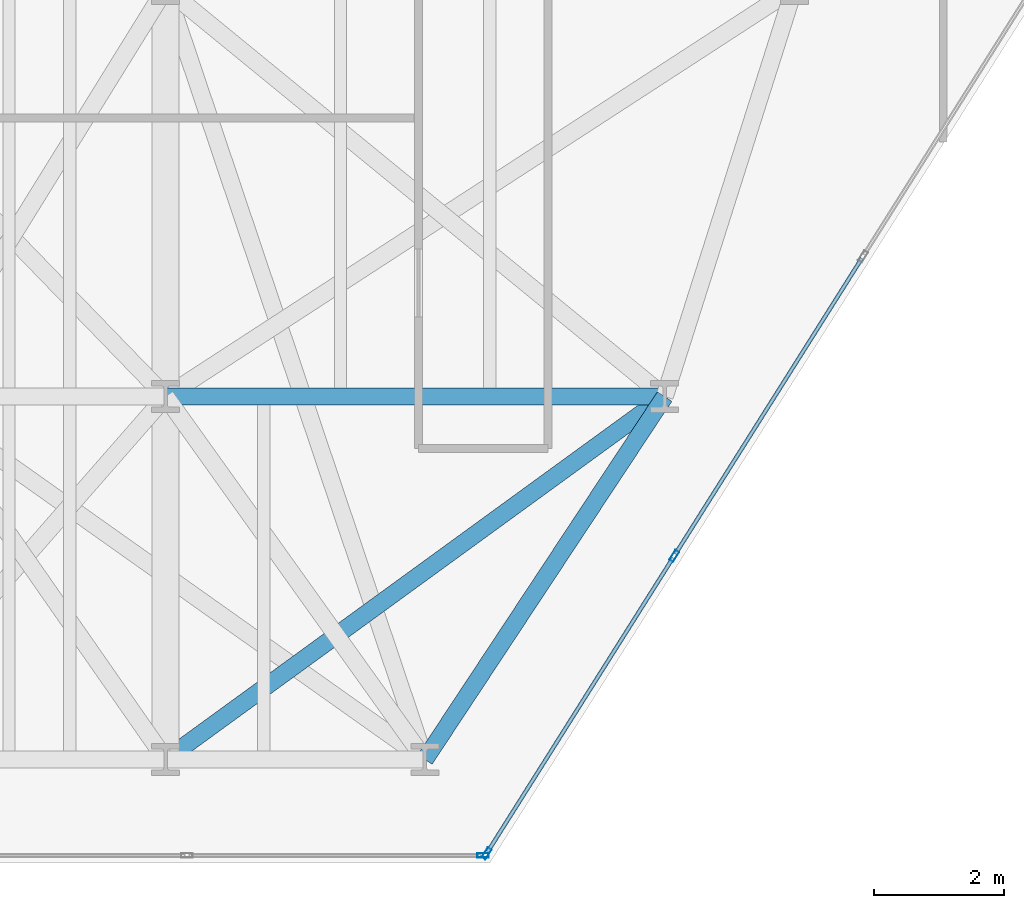
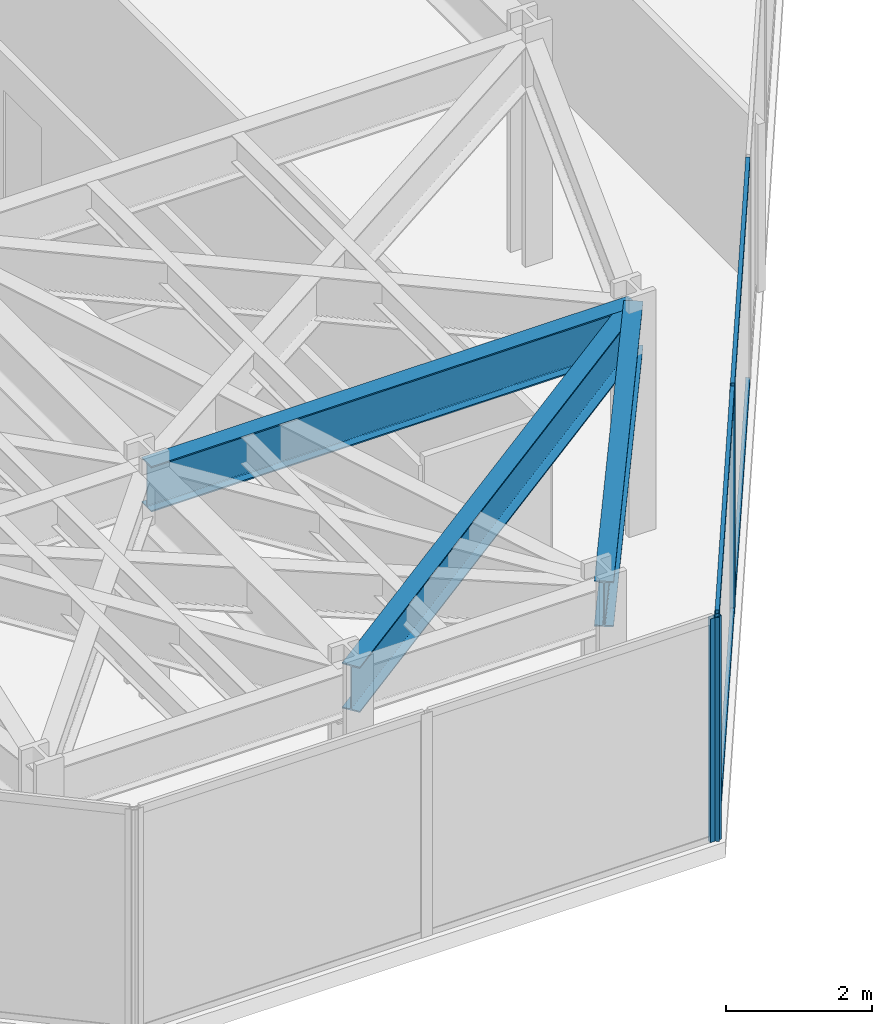
# One storey, part 5 of 25: 7 members, 3 beams, 2 elements without a shape of their own.
"""IFC4 building model written with IfcOpenShell, lengths in metres."""

from ifc_helpers import new_model, si_unit, direction, frame, origin, origin_2d, place, context, subcontext, project, spatial, hollow_rectangle, i_section, extrude, material, layer, layer_set, material_profile, profile_set, type_object, element, aggregate, save


model = new_model("IFC4")

# Units and contexts
model_context = context("Model", 3, precision=1e-05, world=origin(), true_north=direction((0.0, 1.0)))
body_context = subcontext(model_context, "Body", "Model", "MODEL_VIEW")
ifc_project = project(units=[si_unit("LENGTHUNIT", "METRE"), si_unit("AREAUNIT", "SQUARE_METRE"), si_unit("VOLUMEUNIT", "CUBIC_METRE"), si_unit("PLANEANGLEUNIT", "RADIAN"), si_unit("MASSUNIT", "GRAM", prefix="KILO")], contexts=[model_context])

# Site, building, storey
site_placement = place(None, origin())
site = spatial("IfcSite", under=ifc_project, at=site_placement, CompositionType="ELEMENT")
building_placement = place(site_placement, origin())
building = spatial("IfcBuilding", under=site, at=building_placement, Name="Kravanh Interchange Tower", CompositionType="ELEMENT")
storey_placement = place(building_placement, frame((0.0, 0.0, 73.5)))
storey = spatial("IfcBuildingStorey", under=building, at=storey_placement, Name="L17", CompositionType="ELEMENT", Elevation=73.5)

# Curtain wall, members
ifc_material_1 = material(Name="Anodised Bronze Aluminium", Category="aluminium")
ifc_layer = layer(ifc_material_1, 0.179931640625)
ifc_layer_set = layer_set([ifc_layer], Name="Unitised Curtain Wall System CW-Z1 Lower Office")
curtain_wall_type = type_object("IfcCurtainWallType", Name="Unitised Curtain Wall System CW-Z1 Lower Office", PredefinedType="NOTDEFINED", material=ifc_layer_set)
curtain_wall_1_placement = place(storey_placement, origin())
curtain_wall_1 = element("IfcCurtainWall", 1, at=curtain_wall_1_placement, inside=storey, type_object=curtain_wall_type, Name="L17 Unitised Curtain Wall CW-L17-05", PredefinedType="NOTDEFINED")
ifc_material_2 = material(Name="Anodised Bronze Aluminium", Category="aluminium")
ifc_material_profile_1 = material_profile(ifc_material_2, hollow_rectangle(XDim=0.070068359375, YDim=0.179931640625, WallThickness=0.00390625, at=origin_2d()), Name="ALU70X180X4")
ifc_profile_set_1 = profile_set([ifc_material_profile_1], Name="Anodised Bronze Aluminium")
member_type_1 = type_object("IfcMemberType", Name="Curtain Wall Mullion ALU70X180X4 Bronze", PredefinedType="MULLION", material=ifc_profile_set_1)
member_1_placement = place(storey_placement, frame((25.346923828125, 5.740966796875, 0.0), z_axis=(0.0, 0.0, 1.0), x_axis=(0.845925530786, -0.53330103728, 0.0)))
member_1 = element("IfcMember", 2, at=member_1_placement, type_object=member_type_1, Name="CW-Z1 mullion 5", PredefinedType="MULLION", context=body_context, shape_type="SweptSolid", body=[
    extrude(hollow_rectangle(XDim=0.070068359375, YDim=0.179931640625, WallThickness=0.00390625, at=origin_2d()), origin(), (0.0, 0.0, 1.0), 3.739990234375),
])
member_2_placement = place(storey_placement, frame((22.452392578125, 1.149658203125, 0.0), z_axis=(0.0, 0.0, 1.0), x_axis=(0.845925530786, -0.53330103728, 0.0)))
member_2 = element("IfcMember", 3, at=member_2_placement, type_object=member_type_1, Name="CW-Z1 mullion 6", PredefinedType="MULLION", context=body_context, shape_type="SweptSolid", body=[
    extrude(hollow_rectangle(XDim=0.070068359375, YDim=0.179931640625, WallThickness=0.00390625, at=origin_2d()), origin(), (0.0, 0.0, 1.0), 3.739990234375),
])

# Curtain wall, member
curtain_wall_2_placement = place(storey_placement, origin())
curtain_wall_2 = element("IfcCurtainWall", 4, at=curtain_wall_2_placement, inside=storey, type_object=curtain_wall_type, Name="L17 Unitised Curtain Wall CW-L17-06", PredefinedType="NOTDEFINED")
member_3_placement = place(storey_placement, frame((22.398681640625, 1.1201171875, 0.0), z_axis=(0.0, 0.0, 1.0), x_axis=(0.0, -1.0, 0.0)))
member_3 = element("IfcMember", 5, at=member_3_placement, type_object=member_type_1, Name="CW-Z1 mullion 1", PredefinedType="MULLION", context=body_context, shape_type="SweptSolid", body=[
    extrude(hollow_rectangle(XDim=0.070068359375, YDim=0.179931640625, WallThickness=0.00390625, at=origin_2d()), origin(), (0.0, 0.0, 1.0), 3.739990234375),
])
aggregate(curtain_wall_2, [member_3])

# Member
ifc_material_3 = material(Name="Anodised Bronze Aluminium", Category="aluminium")
ifc_material_profile_2 = material_profile(ifc_material_3, hollow_rectangle(XDim=0.06005859375, YDim=0.139892578125, WallThickness=0.00390625, at=origin_2d()), Name="ALU60X140X4")
ifc_profile_set_2 = profile_set([ifc_material_profile_2], Name="Anodised Bronze Aluminium")
member_type_2 = type_object("IfcMemberType", Name="Curtain Wall Transom ALU60X140X4 Bronze", PredefinedType="USERDEFINED", material=ifc_profile_set_2)
member_4_placement = place(storey_placement, frame((28.24169921875, 10.332275390625, 0.030029296875), z_axis=(-0.533311487456, -0.84591894254, 0.0), x_axis=(0.84591894254, -0.533311487456, 0.0)))
member_4 = element("IfcMember", 6, at=member_4_placement, type_object=member_type_2, Name="CW-Z1 transom 4.1", ObjectType="TRANSOM", PredefinedType="USERDEFINED", context=body_context, shape_type="SweptSolid", body=[
    extrude(hollow_rectangle(XDim=0.06005859375, YDim=0.139892578125, WallThickness=0.00390625, at=origin_2d()), origin(), (0.0, 0.0, 1.0), 5.392578125),
])

member_5_placement = place(storey_placement, frame((28.24169921875, 10.332275390625, 3.7099609375), z_axis=(-0.533311487456, -0.84591894254, 0.0), x_axis=(0.84591894254, -0.533311487456, 0.0)))
member_5 = element("IfcMember", 7, at=member_5_placement, type_object=member_type_2, Name="CW-Z1 transom 4.2", ObjectType="TRANSOM", PredefinedType="USERDEFINED", context=body_context, shape_type="SweptSolid", body=[
    extrude(hollow_rectangle(XDim=0.06005859375, YDim=0.139892578125, WallThickness=0.00390625, at=origin_2d()), origin(), (0.0, 0.0, 1.0), 5.392578125),
])

member_6_placement = place(storey_placement, frame((25.328369140625, 5.71142578125, 0.030029296875), z_axis=(-0.533288163518, -0.845933646719, 0.0), x_axis=(0.845933646719, -0.533288163518, 0.0)))
member_6 = element("IfcMember", 8, at=member_6_placement, type_object=member_type_2, Name="CW-Z1 transom 5.1", ObjectType="TRANSOM", PredefinedType="USERDEFINED", context=body_context, shape_type="SweptSolid", body=[
    extrude(hollow_rectangle(XDim=0.06005859375, YDim=0.139892578125, WallThickness=0.00390625, at=origin_2d()), origin(), (0.0, 0.0, 1.0), 5.357666015625),
])

member_7_placement = place(storey_placement, frame((25.328369140625, 5.71142578125, 3.7099609375), z_axis=(-0.533288163518, -0.845933646719, 0.0), x_axis=(0.845933646719, -0.533288163518, 0.0)))
member_7 = element("IfcMember", 9, at=member_7_placement, type_object=member_type_2, Name="CW-Z1 transom 5.2", ObjectType="TRANSOM", PredefinedType="USERDEFINED", context=body_context, shape_type="SweptSolid", body=[
    extrude(hollow_rectangle(XDim=0.06005859375, YDim=0.139892578125, WallThickness=0.00390625, at=origin_2d()), origin(), (0.0, 0.0, 1.0), 5.357666015625),
])

aggregate(curtain_wall_1, [member_1, member_2, member_4, member_5, member_6, member_7])

# Beams
ifc_material_4 = material(Name="Structural Steel S355", Category="steel")
ifc_material_profile_3 = material_profile(ifc_material_4, i_section(OverallWidth=0.26708984375, OverallDepth=0.761962890625, WebThickness=0.014404296875, FlangeThickness=0.021484375, FilletRadius=0.02490234375, at=origin_2d()), Name="W30X116")
ifc_profile_set_3 = profile_set([ifc_material_profile_3], Name="Structural Steel S355")
beam_type = type_object("IfcBeamType", Name="Floor Spandrel W30X116 Structural Steel S355", PredefinedType="SPANDREL", material=ifc_profile_set_3)
beam_1_placement = place(storey_placement, frame((17.5, 2.60009765625, 3.35888671875), z_axis=(0.808741628611, 0.588164074176, 0.0), x_axis=(-0.588164074176, 0.808741628611, 0.0)))
element("IfcBeam", 10, at=beam_1_placement, inside=storey, type_object=beam_type, Name="L17 Perimeter Spandrel 105", PredefinedType="SPANDREL", context=body_context, shape_type="SweptSolid", body=[
    extrude(i_section(OverallWidth=0.26708984375, OverallDepth=0.761962890625, WebThickness=0.014404296875, FlangeThickness=0.021484375, FilletRadius=0.02490234375, at=origin_2d()), origin(), (0.0, 0.0, 1.0), 9.52099609375),
])
beam_2_placement = place(storey_placement, frame((21.5, 2.60009765625, 3.35888671875), z_axis=(0.551262239226, 0.834332034386, 0.0), x_axis=(-0.834332034386, 0.551262239226, 0.0)))
element("IfcBeam", 11, at=beam_2_placement, inside=storey, type_object=beam_type, Name="L17 Perimeter Spandrel 121", PredefinedType="SPANDREL", context=body_context, shape_type="SweptSolid", body=[
    extrude(i_section(OverallWidth=0.26708984375, OverallDepth=0.761962890625, WebThickness=0.014404296875, FlangeThickness=0.021484375, FilletRadius=0.02490234375, at=origin_2d()), origin(), (0.0, 0.0, 1.0), 6.711669921875),
])
beam_3_placement = place(storey_placement, frame((17.5, 8.199951171875, 3.35888671875), z_axis=(1.0, 0.0, 0.0), x_axis=(0.0, 1.0, 0.0)))
element("IfcBeam", 12, at=beam_3_placement, inside=storey, type_object=beam_type, Name="L17 Perimeter Spandrel 137", PredefinedType="SPANDREL", context=body_context, shape_type="SweptSolid", body=[
    extrude(i_section(OverallWidth=0.26708984375, OverallDepth=0.761962890625, WebThickness=0.014404296875, FlangeThickness=0.021484375, FilletRadius=0.02490234375, at=origin_2d()), origin(), (0.0, 0.0, 1.0), 7.699951171875),
])

save(model, "model.ifc")
